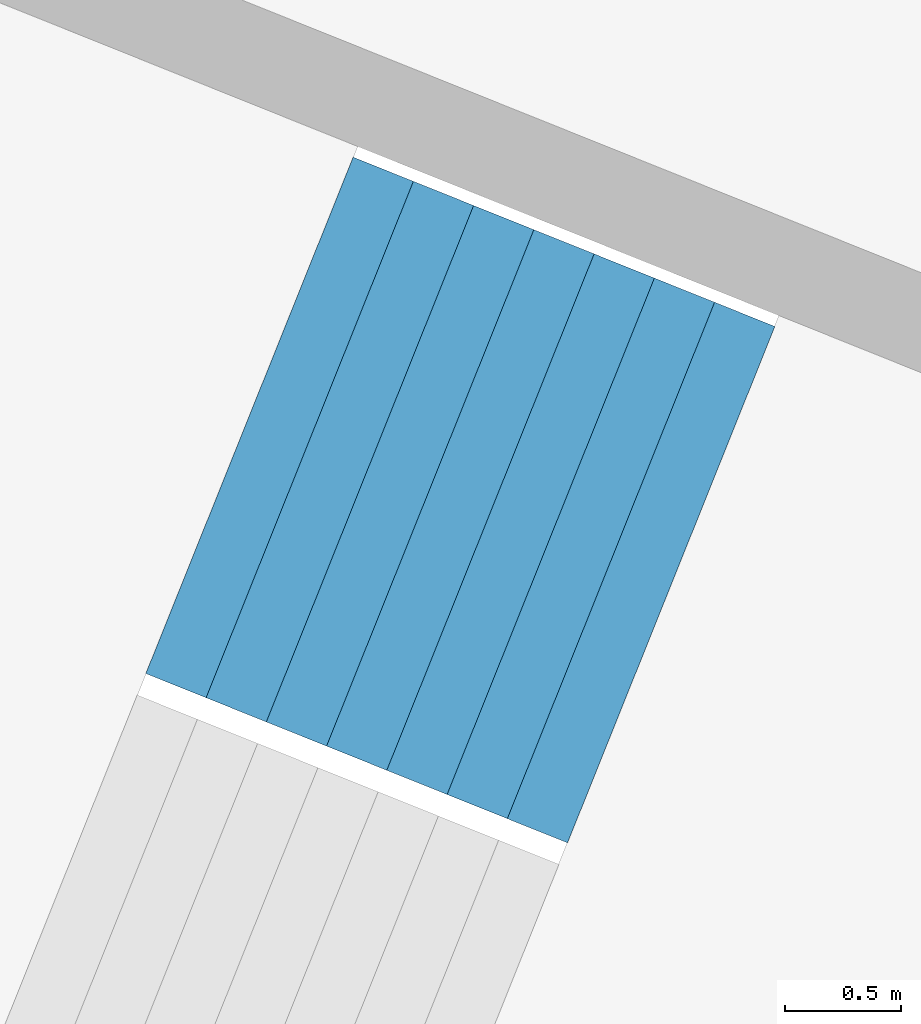
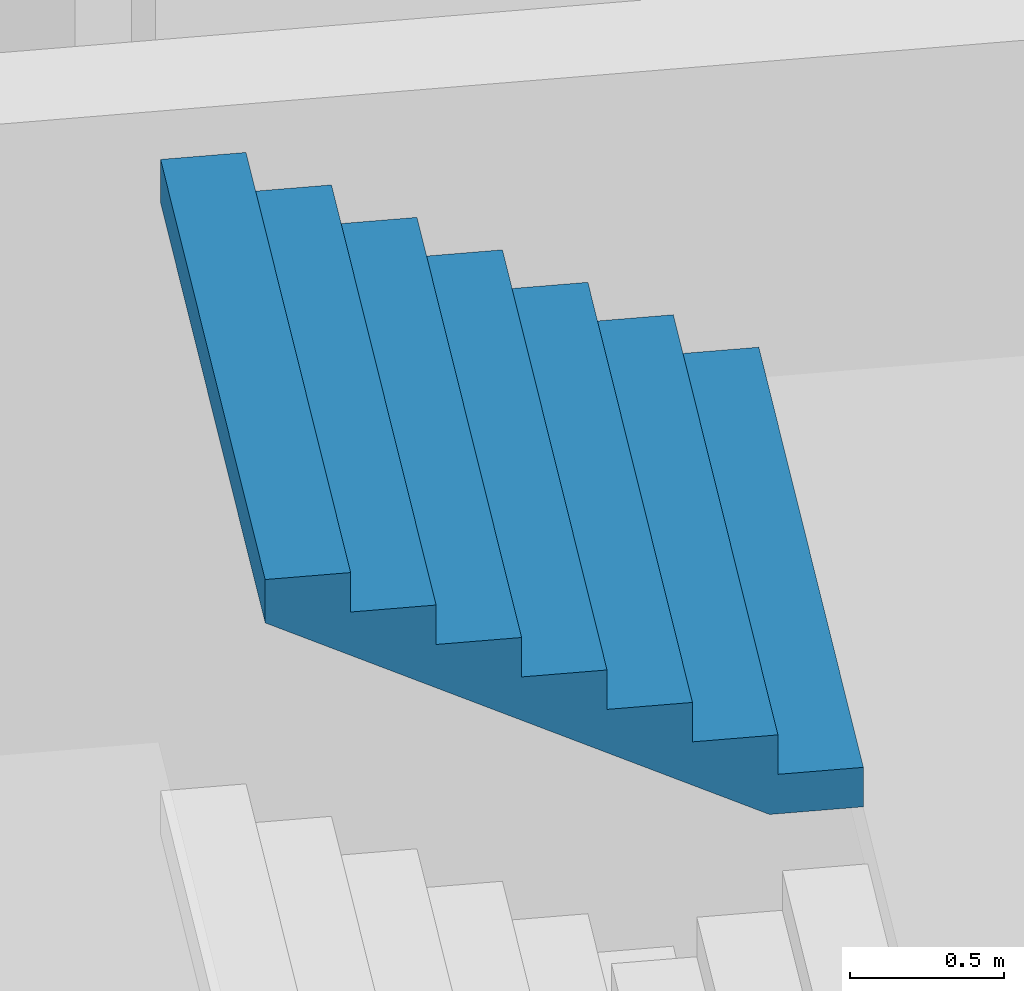
# One storey, part 52 of 73: 1 stair flight, 1 element without a shape of its own.
"""IFC4 building model written with IfcOpenShell, lengths in metres."""

from ifc_helpers import new_model, si_unit, direction, frame, origin, place, context, subcontext, project, spatial, triangles, material, type_object, element, aggregate, save


model = new_model("IFC4")

# Units and contexts
model_context = context("Model", 3, precision=1e-05, world=origin(), true_north=direction((0.0, 1.0)))
body_context = subcontext(model_context, "Body", "Model", "MODEL_VIEW")
ifc_project = project(units=[si_unit("LENGTHUNIT", "METRE"), si_unit("AREAUNIT", "SQUARE_METRE"), si_unit("VOLUMEUNIT", "CUBIC_METRE"), si_unit("PLANEANGLEUNIT", "RADIAN"), si_unit("MASSUNIT", "GRAM", prefix="KILO")], contexts=[model_context])

# Site, building, storey
site_placement = place(None, origin())
site = spatial("IfcSite", under=ifc_project, at=site_placement, CompositionType="ELEMENT")
building_placement = place(site_placement, origin())
building = spatial("IfcBuilding", under=site, at=building_placement, Name="Lantaw Convention Tower", CompositionType="ELEMENT")
storey_placement = place(building_placement, frame((0.0, 0.0, 22.0)))
storey = spatial("IfcBuildingStorey", under=building, at=storey_placement, Name="L03", CompositionType="ELEMENT", Elevation=22.0)

# Stair, stair flight
ifc_material = material(Name="Concrete C35/45", Category="concrete")
stair_type = type_object("IfcStairType", Name="Exit stair 2400 riser 156.25 in 4 flights", PredefinedType="HALF_TURN_STAIR", material=ifc_material)
stair_placement = place(storey_placement, origin())
stair = element("IfcStair", 1, at=stair_placement, inside=storey, type_object=stair_type, Name="Podium exit stair P12 L03", PredefinedType="HALF_TURN_STAIR")
stair_flight_type = type_object("IfcStairFlightType", Name="Stair flight 2400 riser 156.25", PredefinedType="STRAIGHT", material=ifc_material)
stair_flight_placement = place(storey_placement, frame((31.836669921875, -11.43359375, 3.75), z_axis=(0.0, 0.0, 1.0), x_axis=(-0.928015818512, 0.372540790506, 0.0)))
stair_flight = element("IfcStairFlight", 2, at=stair_flight_placement, type_object=stair_flight_type, Name="P12 flight 4", NumberOfRisers=8, NumberOfTreads=7, PredefinedType="STRAIGHT", RiserHeight=0.15625, TreadLength=0.28, context=body_context, shape_type="Tessellation", body=[
    triangles([(0.0, 1.199951171875, 0.0), (0.0, 1.199951171875, 0.15625), (0.28, 1.199951171875, 0.0), (0.28, 1.199951171875, 0.15625), (0.28, 1.199951171875, 0.3125), (0.3076200632058044, 1.199951171875, 0.0), (0.3076200632058044, 1.199951171875, 0.3125), (0.56, 1.199951171875, 0.14083701830033238), (0.56, 1.199951171875, 0.3125), (0.56, 1.199951171875, 0.46875), (0.8400000000000001, 1.199951171875, 0.29708701830033235), (0.8400000000000001, 1.199951171875, 0.46875), (0.8400000000000001, 1.199951171875, 0.625), (1.12, 1.199951171875, 0.45333701830033235), (1.12, 1.199951171875, 0.625), (1.12, 1.199951171875, 0.78125), (1.4000000000000001, 1.199951171875, 0.6095870183003324), (1.4000000000000001, 1.199951171875, 0.78125), (1.4000000000000001, 1.199951171875, 0.9375), (1.6800000000000002, 1.199951171875, 0.7658370183003324), (1.6800000000000002, 1.199951171875, 0.9375), (1.6800000000000002, 1.199951171875, 1.09375), (1.9600000000000002, 1.199951171875, 0.9220870183003324), (1.9600000000000002, 1.199951171875, 1.09375), (0.0, -1.199951171875, 0.0), (0.0, -1.199951171875, 0.15625), (0.28, -1.199951171875, 0.0), (0.28, -1.199951171875, 0.15625), (0.28, -1.199951171875, 0.3125), (0.3076200632058044, -1.199951171875, 0.0), (0.3076200632058044, -1.199951171875, 0.3125), (0.56, -1.199951171875, 0.14083701830033238), (0.56, -1.199951171875, 0.3125), (0.56, -1.199951171875, 0.46875), (0.8400000000000001, -1.199951171875, 0.29708701830033235), (0.8400000000000001, -1.199951171875, 0.46875), (0.8400000000000001, -1.199951171875, 0.625), (1.12, -1.199951171875, 0.45333701830033235), (1.12, -1.199951171875, 0.625), (1.12, -1.199951171875, 0.78125), (1.4000000000000001, -1.199951171875, 0.6095870183003324), (1.4000000000000001, -1.199951171875, 0.78125), (1.4000000000000001, -1.199951171875, 0.9375), (1.6800000000000002, -1.199951171875, 0.7658370183003324), (1.6800000000000002, -1.199951171875, 0.9375), (1.6800000000000002, -1.199951171875, 1.09375), (1.9600000000000002, -1.199951171875, 0.9220870183003324), (1.9600000000000002, -1.199951171875, 1.09375), (0.0, 0.239990234375, 0.15625), (0.0, 0.239990234375, 0.0), (0.0, 0.1919921875, 0.15625), (0.0, 0.1919921875, 0.0), (0.0, 0.143994140625, 0.15625), (0.0, 0.143994140625, 0.0), (0.0, 0.09599609375, 0.15625), (0.0, 0.09599609375, 0.0), (0.0, 0.047998046875, 0.15625), (0.0, 0.047998046875, 0.0), (0.0, 0.0, 0.15625), (0.0, 0.0, 0.0), (0.0, -0.047998046875, 0.15625), (0.0, -0.047998046875, 0.0), (0.0, -0.09599609375, 0.15625), (0.0, -0.09599609375, 0.0), (0.0, -0.143994140625, 0.15625), (0.0, -0.143994140625, 0.0), (0.0, -0.1919921875, 0.15625), (0.0, -0.1919921875, 0.0), (0.0, -0.239990234375, 0.15625), (0.0, -0.239990234375, 0.0), (0.28, 0.239990234375, 0.3125), (0.28, 0.239990234375, 0.15625), (0.28, 0.1919921875, 0.3125), (0.28, 0.1919921875, 0.15625), (0.28, 0.143994140625, 0.3125), (0.28, 0.143994140625, 0.15625), (0.28, 0.09599609375, 0.3125), (0.28, 0.09599609375, 0.15625), (0.28, 0.047998046875, 0.3125), (0.28, 0.047998046875, 0.15625), (0.28, 0.0, 0.3125), (0.28, 0.0, 0.15625), (0.28, -0.047998046875, 0.3125), (0.28, -0.047998046875, 0.15625), (0.28, -0.09599609375, 0.3125), (0.28, -0.09599609375, 0.15625), (0.28, -0.143994140625, 0.3125), (0.28, -0.143994140625, 0.15625), (0.28, -0.1919921875, 0.3125), (0.28, -0.1919921875, 0.15625), (0.28, -0.239990234375, 0.3125), (0.28, -0.239990234375, 0.15625), (0.56, 0.239990234375, 0.46875), (0.56, 0.239990234375, 0.3125), (0.56, 0.1919921875, 0.46875), (0.56, 0.1919921875, 0.3125), (0.56, 0.143994140625, 0.46875), (0.56, 0.143994140625, 0.3125), (0.56, 0.09599609375, 0.46875), (0.56, 0.09599609375, 0.3125), (0.56, 0.047998046875, 0.46875), (0.56, 0.047998046875, 0.3125), (0.56, 0.0, 0.46875), (0.56, 0.0, 0.3125), (0.56, -0.047998046875, 0.46875), (0.56, -0.047998046875, 0.3125), (0.56, -0.09599609375, 0.46875), (0.56, -0.09599609375, 0.3125), (0.56, -0.143994140625, 0.46875), (0.56, -0.143994140625, 0.3125), (0.56, -0.1919921875, 0.46875), (0.56, -0.1919921875, 0.3125), (0.56, -0.239990234375, 0.46875), (0.56, -0.239990234375, 0.3125), (0.8400000000000001, 0.239990234375, 0.625), (0.8400000000000001, 0.239990234375, 0.46875), (0.8400000000000001, 0.1919921875, 0.625), (0.8400000000000001, 0.1919921875, 0.46875), (0.8400000000000001, 0.143994140625, 0.625), (0.8400000000000001, 0.143994140625, 0.46875), (0.8400000000000001, 0.09599609375, 0.625), (0.8400000000000001, 0.09599609375, 0.46875), (0.8400000000000001, 0.047998046875, 0.625), (0.8400000000000001, 0.047998046875, 0.46875), (0.8400000000000001, 0.0, 0.625), (0.8400000000000001, 0.0, 0.46875), (0.8400000000000001, -0.047998046875, 0.625), (0.8400000000000001, -0.047998046875, 0.46875), (0.8400000000000001, -0.09599609375, 0.625), (0.8400000000000001, -0.09599609375, 0.46875), (0.8400000000000001, -0.143994140625, 0.625), (0.8400000000000001, -0.143994140625, 0.46875), (0.8400000000000001, -0.1919921875, 0.625), (0.8400000000000001, -0.1919921875, 0.46875), (0.8400000000000001, -0.239990234375, 0.625), (0.8400000000000001, -0.239990234375, 0.46875), (1.12, 0.239990234375, 0.78125), (1.12, 0.239990234375, 0.625), (1.12, 0.1919921875, 0.78125), (1.12, 0.1919921875, 0.625), (1.12, 0.143994140625, 0.78125), (1.12, 0.143994140625, 0.625), (1.12, 0.09599609375, 0.78125), (1.12, 0.09599609375, 0.625), (1.12, 0.047998046875, 0.78125), (1.12, 0.047998046875, 0.625), (1.12, 0.0, 0.78125), (1.12, 0.0, 0.625), (1.12, -0.047998046875, 0.78125), (1.12, -0.047998046875, 0.625), (1.12, -0.09599609375, 0.78125), (1.12, -0.09599609375, 0.625), (1.12, -0.143994140625, 0.78125), (1.12, -0.143994140625, 0.625), (1.12, -0.1919921875, 0.78125), (1.12, -0.1919921875, 0.625), (1.12, -0.239990234375, 0.78125), (1.12, -0.239990234375, 0.625), (1.4000000000000001, 0.239990234375, 0.9375), (1.4000000000000001, 0.239990234375, 0.78125), (1.4000000000000001, 0.1919921875, 0.9375), (1.4000000000000001, 0.1919921875, 0.78125), (1.4000000000000001, 0.143994140625, 0.9375), (1.4000000000000001, 0.143994140625, 0.78125), (1.4000000000000001, 0.09599609375, 0.9375), (1.4000000000000001, 0.09599609375, 0.78125), (1.4000000000000001, 0.047998046875, 0.9375), (1.4000000000000001, 0.047998046875, 0.78125), (1.4000000000000001, 0.0, 0.9375), (1.4000000000000001, 0.0, 0.78125), (1.4000000000000001, -0.047998046875, 0.9375), (1.4000000000000001, -0.047998046875, 0.78125), (1.4000000000000001, -0.09599609375, 0.9375), (1.4000000000000001, -0.09599609375, 0.78125), (1.4000000000000001, -0.143994140625, 0.9375), (1.4000000000000001, -0.143994140625, 0.78125), (1.4000000000000001, -0.1919921875, 0.9375), (1.4000000000000001, -0.1919921875, 0.78125), (1.4000000000000001, -0.239990234375, 0.9375), (1.4000000000000001, -0.239990234375, 0.78125), (1.6800000000000002, 0.239990234375, 1.09375), (1.6800000000000002, 0.239990234375, 0.9375), (1.6800000000000002, 0.1919921875, 1.09375), (1.6800000000000002, 0.1919921875, 0.9375), (1.6800000000000002, 0.143994140625, 1.09375), (1.6800000000000002, 0.143994140625, 0.9375), (1.6800000000000002, 0.09599609375, 1.09375), (1.6800000000000002, 0.09599609375, 0.9375), (1.6800000000000002, 0.047998046875, 1.09375), (1.6800000000000002, 0.047998046875, 0.9375), (1.6800000000000002, 0.0, 1.09375), (1.6800000000000002, 0.0, 0.9375), (1.6800000000000002, -0.047998046875, 1.09375), (1.6800000000000002, -0.047998046875, 0.9375), (1.6800000000000002, -0.09599609375, 1.09375), (1.6800000000000002, -0.09599609375, 0.9375), (1.6800000000000002, -0.143994140625, 1.09375), (1.6800000000000002, -0.143994140625, 0.9375), (1.6800000000000002, -0.1919921875, 1.09375), (1.6800000000000002, -0.1919921875, 0.9375), (1.6800000000000002, -0.239990234375, 1.09375), (1.6800000000000002, -0.239990234375, 0.9375), (0.3076200632058044, 0.239990234375, 0.3125), (0.3076200632058044, 0.1919921875, 0.3125), (0.3076200632058044, 0.143994140625, 0.3125), (0.3076200632058044, 0.09599609375, 0.3125), (0.3076200632058044, 0.047998046875, 0.3125), (0.3076200632058044, 0.0, 0.3125), (0.3076200632058044, -0.047998046875, 0.3125), (0.3076200632058044, -0.09599609375, 0.3125), (0.3076200632058044, -0.143994140625, 0.3125), (0.3076200632058044, -0.1919921875, 0.3125), (0.3076200632058044, -0.239990234375, 0.3125), (1.9600000000000002, 0.239990234375, 1.09375), (1.9600000000000002, 0.1919921875, 1.09375), (1.9600000000000002, 0.143994140625, 1.09375), (1.9600000000000002, 0.09599609375, 1.09375), (1.9600000000000002, 0.047998046875, 1.09375), (1.9600000000000002, 0.0, 1.09375), (1.9600000000000002, -0.047998046875, 1.09375), (1.9600000000000002, -0.09599609375, 1.09375), (1.9600000000000002, -0.143994140625, 1.09375), (1.9600000000000002, -0.1919921875, 1.09375), (1.9600000000000002, -0.239990234375, 1.09375), (1.9600000000000002, 0.239990234375, 0.9220870183003324), (1.9600000000000002, 0.1919921875, 0.9220870183003324), (1.9600000000000002, 0.143994140625, 0.9220870183003324), (1.9600000000000002, 0.09599609375, 0.9220870183003324), (1.9600000000000002, 0.047998046875, 0.9220870183003324), (1.9600000000000002, 0.0, 0.9220870183003324), (1.9600000000000002, -0.047998046875, 0.9220870183003324), (1.9600000000000002, -0.09599609375, 0.9220870183003324), (1.9600000000000002, -0.143994140625, 0.9220870183003324), (1.9600000000000002, -0.1919921875, 0.9220870183003324), (1.9600000000000002, -0.239990234375, 0.9220870183003324), (1.6800000000000002, 0.239990234375, 0.7658370183003324), (1.6800000000000002, 0.1919921875, 0.7658370183003324), (1.6800000000000002, 0.143994140625, 0.7658370183003324), (1.6800000000000002, 0.09599609375, 0.7658370183003324), (1.6800000000000002, 0.047998046875, 0.7658370183003324), (1.6800000000000002, 0.0, 0.7658370183003324), (1.6800000000000002, -0.047998046875, 0.7658370183003324), (1.6800000000000002, -0.09599609375, 0.7658370183003324), (1.6800000000000002, -0.143994140625, 0.7658370183003324), (1.6800000000000002, -0.1919921875, 0.7658370183003324), (1.6800000000000002, -0.239990234375, 0.7658370183003324), (1.4000000000000001, 0.239990234375, 0.6095870183003324), (1.4000000000000001, 0.1919921875, 0.6095870183003324), (1.4000000000000001, 0.143994140625, 0.6095870183003324), (1.4000000000000001, 0.09599609375, 0.6095870183003324), (1.4000000000000001, 0.047998046875, 0.6095870183003324), (1.4000000000000001, 0.0, 0.6095870183003324), (1.4000000000000001, -0.047998046875, 0.6095870183003324), (1.4000000000000001, -0.09599609375, 0.6095870183003324), (1.4000000000000001, -0.143994140625, 0.6095870183003324), (1.4000000000000001, -0.1919921875, 0.6095870183003324), (1.4000000000000001, -0.239990234375, 0.6095870183003324), (1.12, 0.239990234375, 0.45333701830033235), (1.12, 0.1919921875, 0.45333701830033235), (1.12, 0.143994140625, 0.45333701830033235), (1.12, 0.09599609375, 0.45333701830033235), (1.12, 0.047998046875, 0.45333701830033235), (1.12, 0.0, 0.45333701830033235), (1.12, -0.047998046875, 0.45333701830033235), (1.12, -0.09599609375, 0.45333701830033235), (1.12, -0.143994140625, 0.45333701830033235), (1.12, -0.1919921875, 0.45333701830033235), (1.12, -0.239990234375, 0.45333701830033235), (0.8400000000000001, 0.239990234375, 0.29708701830033235), (0.8400000000000001, 0.1919921875, 0.29708701830033235), (0.8400000000000001, 0.143994140625, 0.29708701830033235), (0.8400000000000001, 0.09599609375, 0.29708701830033235), (0.8400000000000001, 0.047998046875, 0.29708701830033235), (0.8400000000000001, 0.0, 0.29708701830033235), (0.8400000000000001, -0.047998046875, 0.29708701830033235), (0.8400000000000001, -0.09599609375, 0.29708701830033235), (0.8400000000000001, -0.143994140625, 0.29708701830033235), (0.8400000000000001, -0.1919921875, 0.29708701830033235), (0.8400000000000001, -0.239990234375, 0.29708701830033235), (0.56, 0.239990234375, 0.14083701830033238), (0.56, 0.1919921875, 0.14083701830033238), (0.56, 0.143994140625, 0.14083701830033238), (0.56, 0.09599609375, 0.14083701830033238), (0.56, 0.047998046875, 0.14083701830033238), (0.56, 0.0, 0.14083701830033238), (0.56, -0.047998046875, 0.14083701830033238), (0.56, -0.09599609375, 0.14083701830033238), (0.56, -0.143994140625, 0.14083701830033238), (0.56, -0.1919921875, 0.14083701830033238), (0.56, -0.239990234375, 0.14083701830033238), (0.3076200632058044, 0.239990234375, 0.0), (0.3076200632058044, 0.1919921875, 0.0), (0.3076200632058044, 0.143994140625, 0.0), (0.3076200632058044, 0.09599609375, 0.0), (0.3076200632058044, 0.047998046875, 0.0), (0.3076200632058044, 0.0, 0.0), (0.3076200632058044, -0.047998046875, 0.0), (0.3076200632058044, -0.09599609375, 0.0), (0.3076200632058044, -0.143994140625, 0.0), (0.3076200632058044, -0.1919921875, 0.0), (0.3076200632058044, -0.239990234375, 0.0), (0.28, 0.239990234375, 0.0), (0.28, 0.1919921875, 0.0), (0.28, 0.143994140625, 0.0), (0.28, 0.09599609375, 0.0), (0.28, 0.047998046875, 0.0), (0.28, 0.0, 0.0), (0.28, -0.047998046875, 0.0), (0.28, -0.09599609375, 0.0), (0.28, -0.143994140625, 0.0), (0.28, -0.1919921875, 0.0), (0.28, -0.239990234375, 0.0)], [[1, 4, 3], [1, 2, 4], [3, 4, 6], [4, 7, 6], [4, 5, 7], [6, 9, 8], [6, 7, 9], [8, 9, 11], [9, 12, 11], [9, 10, 12], [11, 12, 14], [12, 15, 14], [12, 13, 15], [14, 15, 17], [15, 18, 17], [15, 16, 18], [17, 18, 20], [18, 21, 20], [18, 19, 21], [20, 21, 23], [21, 24, 23], [21, 22, 24], [25, 27, 28], [25, 28, 26], [27, 30, 28], [28, 30, 31], [28, 31, 29], [30, 32, 33], [30, 33, 31], [32, 35, 33], [33, 35, 36], [33, 36, 34], [35, 38, 36], [36, 38, 39], [36, 39, 37], [38, 41, 39], [39, 41, 42], [39, 42, 40], [41, 44, 42], [42, 44, 45], [42, 45, 43], [44, 47, 45], [45, 47, 48], [45, 48, 46], [1, 49, 2], [1, 50, 49], [50, 51, 49], [50, 52, 51], [52, 53, 51], [52, 54, 53], [54, 55, 53], [54, 56, 55], [56, 57, 55], [56, 58, 57], [58, 59, 57], [58, 60, 59], [60, 61, 59], [60, 62, 61], [62, 63, 61], [62, 64, 63], [64, 65, 63], [64, 66, 65], [66, 67, 65], [66, 68, 67], [68, 69, 67], [68, 70, 69], [70, 26, 69], [70, 25, 26], [4, 71, 5], [4, 72, 71], [72, 73, 71], [72, 74, 73], [74, 75, 73], [74, 76, 75], [76, 77, 75], [76, 78, 77], [78, 79, 77], [78, 80, 79], [80, 81, 79], [80, 82, 81], [82, 83, 81], [82, 84, 83], [84, 85, 83], [84, 86, 85], [86, 87, 85], [86, 88, 87], [88, 89, 87], [88, 90, 89], [90, 91, 89], [90, 92, 91], [92, 29, 91], [92, 28, 29], [9, 93, 10], [9, 94, 93], [94, 95, 93], [94, 96, 95], [96, 97, 95], [96, 98, 97], [98, 99, 97], [98, 100, 99], [100, 101, 99], [100, 102, 101], [102, 103, 101], [102, 104, 103], [104, 105, 103], [104, 106, 105], [106, 107, 105], [106, 108, 107], [108, 109, 107], [108, 110, 109], [110, 111, 109], [110, 112, 111], [112, 113, 111], [112, 114, 113], [114, 34, 113], [114, 33, 34], [12, 115, 13], [12, 116, 115], [116, 117, 115], [116, 118, 117], [118, 119, 117], [118, 120, 119], [120, 121, 119], [120, 122, 121], [122, 123, 121], [122, 124, 123], [124, 125, 123], [124, 126, 125], [126, 127, 125], [126, 128, 127], [128, 129, 127], [128, 130, 129], [130, 131, 129], [130, 132, 131], [132, 133, 131], [132, 134, 133], [134, 135, 133], [134, 136, 135], [136, 37, 135], [136, 36, 37], [15, 137, 16], [15, 138, 137], [138, 139, 137], [138, 140, 139], [140, 141, 139], [140, 142, 141], [142, 143, 141], [142, 144, 143], [144, 145, 143], [144, 146, 145], [146, 147, 145], [146, 148, 147], [148, 149, 147], [148, 150, 149], [150, 151, 149], [150, 152, 151], [152, 153, 151], [152, 154, 153], [154, 155, 153], [154, 156, 155], [156, 157, 155], [156, 158, 157], [158, 40, 157], [158, 39, 40], [18, 159, 19], [18, 160, 159], [160, 161, 159], [160, 162, 161], [162, 163, 161], [162, 164, 163], [164, 165, 163], [164, 166, 165], [166, 167, 165], [166, 168, 167], [168, 169, 167], [168, 170, 169], [170, 171, 169], [170, 172, 171], [172, 173, 171], [172, 174, 173], [174, 175, 173], [174, 176, 175], [176, 177, 175], [176, 178, 177], [178, 179, 177], [178, 180, 179], [180, 43, 179], [180, 42, 43], [21, 181, 22], [21, 182, 181], [182, 183, 181], [182, 184, 183], [184, 185, 183], [184, 186, 185], [186, 187, 185], [186, 188, 187], [188, 189, 187], [188, 190, 189], [190, 191, 189], [190, 192, 191], [192, 193, 191], [192, 194, 193], [194, 195, 193], [194, 196, 195], [196, 197, 195], [196, 198, 197], [198, 199, 197], [198, 200, 199], [200, 201, 199], [200, 202, 201], [202, 46, 201], [202, 45, 46], [2, 72, 4], [2, 49, 72], [49, 74, 72], [49, 51, 74], [51, 76, 74], [51, 53, 76], [53, 78, 76], [53, 55, 78], [55, 80, 78], [55, 57, 80], [57, 82, 80], [57, 59, 82], [59, 84, 82], [59, 61, 84], [61, 86, 84], [61, 63, 86], [63, 88, 86], [63, 65, 88], [65, 90, 88], [65, 67, 90], [67, 92, 90], [67, 69, 92], [69, 28, 92], [69, 26, 28], [5, 203, 7], [5, 71, 203], [71, 204, 203], [71, 73, 204], [73, 205, 204], [73, 75, 205], [75, 206, 205], [75, 77, 206], [77, 207, 206], [77, 79, 207], [79, 208, 207], [79, 81, 208], [81, 209, 208], [81, 83, 209], [83, 210, 209], [83, 85, 210], [85, 211, 210], [85, 87, 211], [87, 212, 211], [87, 89, 212], [89, 213, 212], [89, 91, 213], [91, 31, 213], [91, 29, 31], [7, 94, 9], [7, 203, 94], [203, 96, 94], [203, 204, 96], [204, 98, 96], [204, 205, 98], [205, 100, 98], [205, 206, 100], [206, 102, 100], [206, 207, 102], [207, 104, 102], [207, 208, 104], [208, 106, 104], [208, 209, 106], [209, 108, 106], [209, 210, 108], [210, 110, 108], [210, 211, 110], [211, 112, 110], [211, 212, 112], [212, 114, 112], [212, 213, 114], [213, 33, 114], [213, 31, 33], [10, 116, 12], [10, 93, 116], [93, 118, 116], [93, 95, 118], [95, 120, 118], [95, 97, 120], [97, 122, 120], [97, 99, 122], [99, 124, 122], [99, 101, 124], [101, 126, 124], [101, 103, 126], [103, 128, 126], [103, 105, 128], [105, 130, 128], [105, 107, 130], [107, 132, 130], [107, 109, 132], [109, 134, 132], [109, 111, 134], [111, 136, 134], [111, 113, 136], [113, 36, 136], [113, 34, 36], [13, 138, 15], [13, 115, 138], [115, 140, 138], [115, 117, 140], [117, 142, 140], [117, 119, 142], [119, 144, 142], [119, 121, 144], [121, 146, 144], [121, 123, 146], [123, 148, 146], [123, 125, 148], [125, 150, 148], [125, 127, 150], [127, 152, 150], [127, 129, 152], [129, 154, 152], [129, 131, 154], [131, 156, 154], [131, 133, 156], [133, 158, 156], [133, 135, 158], [135, 39, 158], [135, 37, 39], [16, 160, 18], [16, 137, 160], [137, 162, 160], [137, 139, 162], [139, 164, 162], [139, 141, 164], [141, 166, 164], [141, 143, 166], [143, 168, 166], [143, 145, 168], [145, 170, 168], [145, 147, 170], [147, 172, 170], [147, 149, 172], [149, 174, 172], [149, 151, 174], [151, 176, 174], [151, 153, 176], [153, 178, 176], [153, 155, 178], [155, 180, 178], [155, 157, 180], [157, 42, 180], [157, 40, 42], [19, 182, 21], [19, 159, 182], [159, 184, 182], [159, 161, 184], [161, 186, 184], [161, 163, 186], [163, 188, 186], [163, 165, 188], [165, 190, 188], [165, 167, 190], [167, 192, 190], [167, 169, 192], [169, 194, 192], [169, 171, 194], [171, 196, 194], [171, 173, 196], [173, 198, 196], [173, 175, 198], [175, 200, 198], [175, 177, 200], [177, 202, 200], [177, 179, 202], [179, 45, 202], [179, 43, 45], [22, 214, 24], [22, 181, 214], [181, 215, 214], [181, 183, 215], [183, 216, 215], [183, 185, 216], [185, 217, 216], [185, 187, 217], [187, 218, 217], [187, 189, 218], [189, 219, 218], [189, 191, 219], [191, 220, 219], [191, 193, 220], [193, 221, 220], [193, 195, 221], [195, 222, 221], [195, 197, 222], [197, 223, 222], [197, 199, 223], [199, 224, 223], [199, 201, 224], [201, 48, 224], [201, 46, 48], [24, 225, 23], [24, 214, 225], [214, 226, 225], [214, 215, 226], [215, 227, 226], [215, 216, 227], [216, 228, 227], [216, 217, 228], [217, 229, 228], [217, 218, 229], [218, 230, 229], [218, 219, 230], [219, 231, 230], [219, 220, 231], [220, 232, 231], [220, 221, 232], [221, 233, 232], [221, 222, 233], [222, 234, 233], [222, 223, 234], [223, 235, 234], [223, 224, 235], [224, 47, 235], [224, 48, 47], [23, 236, 20], [23, 225, 236], [225, 237, 236], [225, 226, 237], [226, 238, 237], [226, 227, 238], [227, 239, 238], [227, 228, 239], [228, 240, 239], [228, 229, 240], [229, 241, 240], [229, 230, 241], [230, 242, 241], [230, 231, 242], [231, 243, 242], [231, 232, 243], [232, 244, 243], [232, 233, 244], [233, 245, 244], [233, 234, 245], [234, 246, 245], [234, 235, 246], [235, 44, 246], [235, 47, 44], [20, 247, 17], [20, 236, 247], [236, 248, 247], [236, 237, 248], [237, 249, 248], [237, 238, 249], [238, 250, 249], [238, 239, 250], [239, 251, 250], [239, 240, 251], [240, 252, 251], [240, 241, 252], [241, 253, 252], [241, 242, 253], [242, 254, 253], [242, 243, 254], [243, 255, 254], [243, 244, 255], [244, 256, 255], [244, 245, 256], [245, 257, 256], [245, 246, 257], [246, 41, 257], [246, 44, 41], [17, 258, 14], [17, 247, 258], [247, 259, 258], [247, 248, 259], [248, 260, 259], [248, 249, 260], [249, 261, 260], [249, 250, 261], [250, 262, 261], [250, 251, 262], [251, 263, 262], [251, 252, 263], [252, 264, 263], [252, 253, 264], [253, 265, 264], [253, 254, 265], [254, 266, 265], [254, 255, 266], [255, 267, 266], [255, 256, 267], [256, 268, 267], [256, 257, 268], [257, 38, 268], [257, 41, 38], [14, 269, 11], [14, 258, 269], [258, 270, 269], [258, 259, 270], [259, 271, 270], [259, 260, 271], [260, 272, 271], [260, 261, 272], [261, 273, 272], [261, 262, 273], [262, 274, 273], [262, 263, 274], [263, 275, 274], [263, 264, 275], [264, 276, 275], [264, 265, 276], [265, 277, 276], [265, 266, 277], [266, 278, 277], [266, 267, 278], [267, 279, 278], [267, 268, 279], [268, 35, 279], [268, 38, 35], [11, 280, 8], [11, 269, 280], [269, 281, 280], [269, 270, 281], [270, 282, 281], [270, 271, 282], [271, 283, 282], [271, 272, 283], [272, 284, 283], [272, 273, 284], [273, 285, 284], [273, 274, 285], [274, 286, 285], [274, 275, 286], [275, 287, 286], [275, 276, 287], [276, 288, 287], [276, 277, 288], [277, 289, 288], [277, 278, 289], [278, 290, 289], [278, 279, 290], [279, 32, 290], [279, 35, 32], [8, 291, 6], [8, 280, 291], [280, 292, 291], [280, 281, 292], [281, 293, 292], [281, 282, 293], [282, 294, 293], [282, 283, 294], [283, 295, 294], [283, 284, 295], [284, 296, 295], [284, 285, 296], [285, 297, 296], [285, 286, 297], [286, 298, 297], [286, 287, 298], [287, 299, 298], [287, 288, 299], [288, 300, 299], [288, 289, 300], [289, 301, 300], [289, 290, 301], [290, 30, 301], [290, 32, 30], [6, 302, 3], [6, 291, 302], [291, 303, 302], [291, 292, 303], [292, 304, 303], [292, 293, 304], [293, 305, 304], [293, 294, 305], [294, 306, 305], [294, 295, 306], [295, 307, 306], [295, 296, 307], [296, 308, 307], [296, 297, 308], [297, 309, 308], [297, 298, 309], [298, 310, 309], [298, 299, 310], [299, 311, 310], [299, 300, 311], [300, 312, 311], [300, 301, 312], [301, 27, 312], [301, 30, 27], [3, 50, 1], [3, 302, 50], [302, 52, 50], [302, 303, 52], [303, 54, 52], [303, 304, 54], [304, 56, 54], [304, 305, 56], [305, 58, 56], [305, 306, 58], [306, 60, 58], [306, 307, 60], [307, 62, 60], [307, 308, 62], [308, 64, 62], [308, 309, 64], [309, 66, 64], [309, 310, 66], [310, 68, 66], [310, 311, 68], [311, 70, 68], [311, 312, 70], [312, 25, 70], [312, 27, 25]], closed=True),
])
aggregate(stair, [stair_flight])

save(model, "model.ifc")
